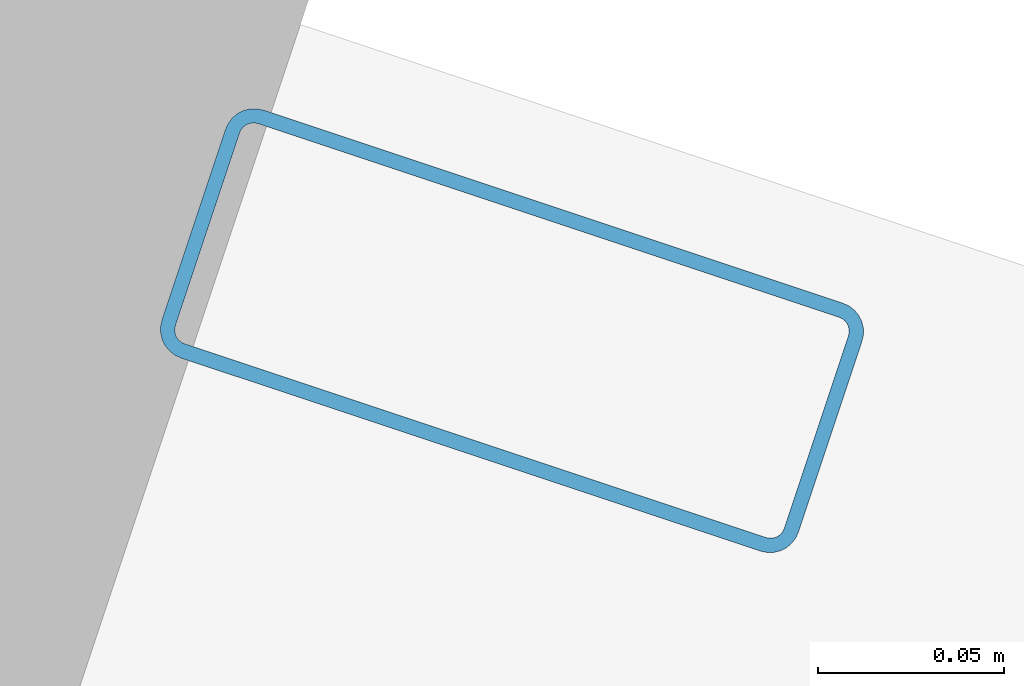
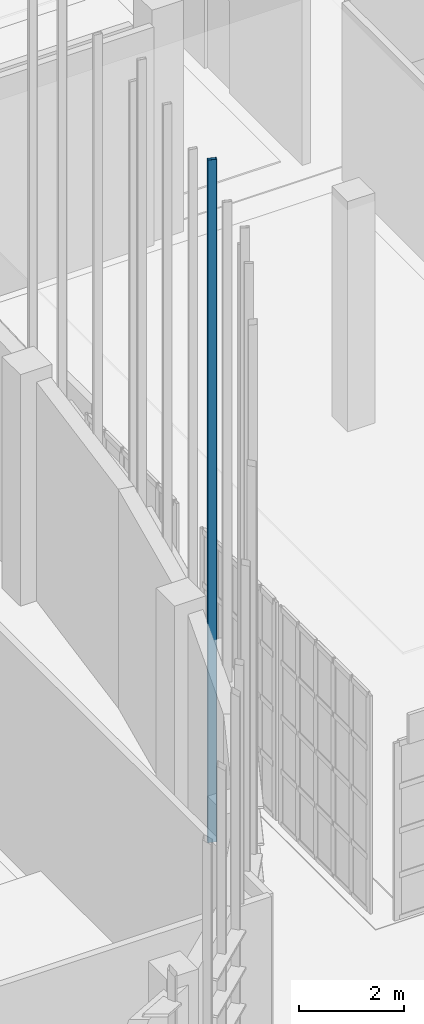
# One storey, part 273 of 372: 1 member.
"""IFC4 building model written with IfcOpenShell, lengths in metres."""

from ifc_helpers import new_model, si_unit, direction, frame, origin, origin_2d, place, context, subcontext, project, spatial, hollow_rectangle, extrude, material, material_profile, profile_set, type_object, element, save


model = new_model("IFC4")

# Units and contexts
model_context = context("Model", 3, precision=1e-05, world=origin(), true_north=direction((0.0, 1.0)))
body_context = subcontext(model_context, "Body", "Model", "MODEL_VIEW")
ifc_project = project(units=[si_unit("LENGTHUNIT", "METRE"), si_unit("AREAUNIT", "SQUARE_METRE"), si_unit("VOLUMEUNIT", "CUBIC_METRE"), si_unit("PLANEANGLEUNIT", "RADIAN"), si_unit("MASSUNIT", "GRAM", prefix="KILO")], contexts=[model_context])

# Site, building, storey
site_placement = place(None, origin())
site = spatial("IfcSite", under=ifc_project, at=site_placement, CompositionType="ELEMENT")
building_placement = place(site_placement, origin())
building = spatial("IfcBuilding", under=site, at=building_placement, Name="Kaelora Sail Theatre", CompositionType="ELEMENT")
storey_placement = place(building_placement, origin())
storey = spatial("IfcBuildingStorey", under=building, at=storey_placement, Name="L00", CompositionType="ELEMENT", Elevation=0.0)

# Member
ifc_material = material(Name="Anodised aluminium 6063-T6", Category="aluminium")
ifc_material_profile = material_profile(ifc_material, hollow_rectangle(XDim=0.070068359375, YDim=0.179931640625, WallThickness=0.00390625, InnerFilletRadius=0.00390625, OuterFilletRadius=0.008056640625, at=origin_2d()), Name="ALU-MULL 70x180x4")
ifc_profile_set = profile_set([ifc_material_profile], Name="Anodised aluminium 6063-T6")
member_type = type_object("IfcMemberType", Name="ARC-MEM-PST-160", PredefinedType="POST", material=ifc_profile_set)
member_placement = place(storey_placement, frame((146.06201171875, 35.3662109375, 0.0), z_axis=(0.0, 0.0, 1.0), x_axis=(-0.316145823974, -0.948710608133, 0.0)))
element("IfcMember", 1, at=member_placement, inside=storey, type_object=member_type, Name="Black-Box and Experimental Sail Wing solar louvre vertical support post C5-1", PredefinedType="POST", context=body_context, shape_type="SweptSolid", body=[
    extrude(hollow_rectangle(XDim=0.070068359375, YDim=0.179931640625, WallThickness=0.00390625, InnerFilletRadius=0.00390625, OuterFilletRadius=0.008056640625, at=origin_2d()), origin(), (0.0, 0.0, 1.0), 15.92041015625),
])

save(model, "model.ifc")
